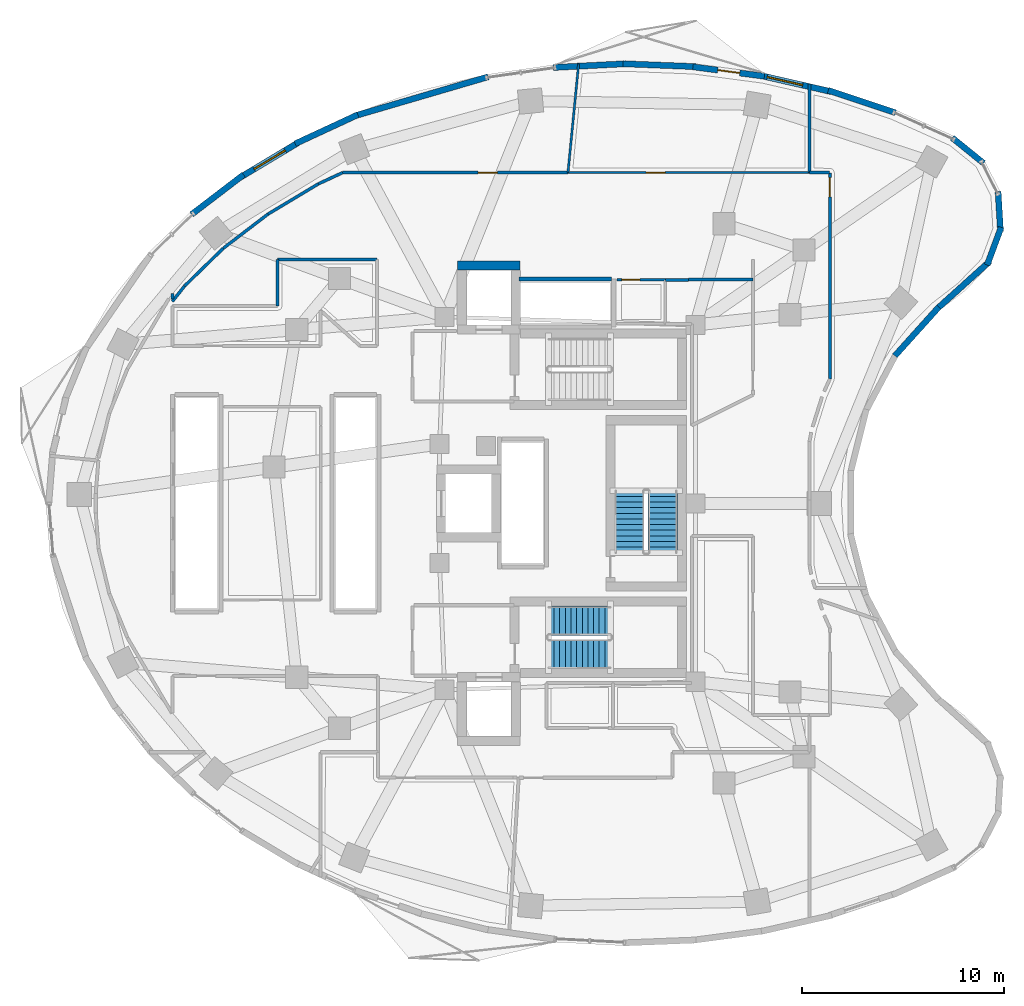
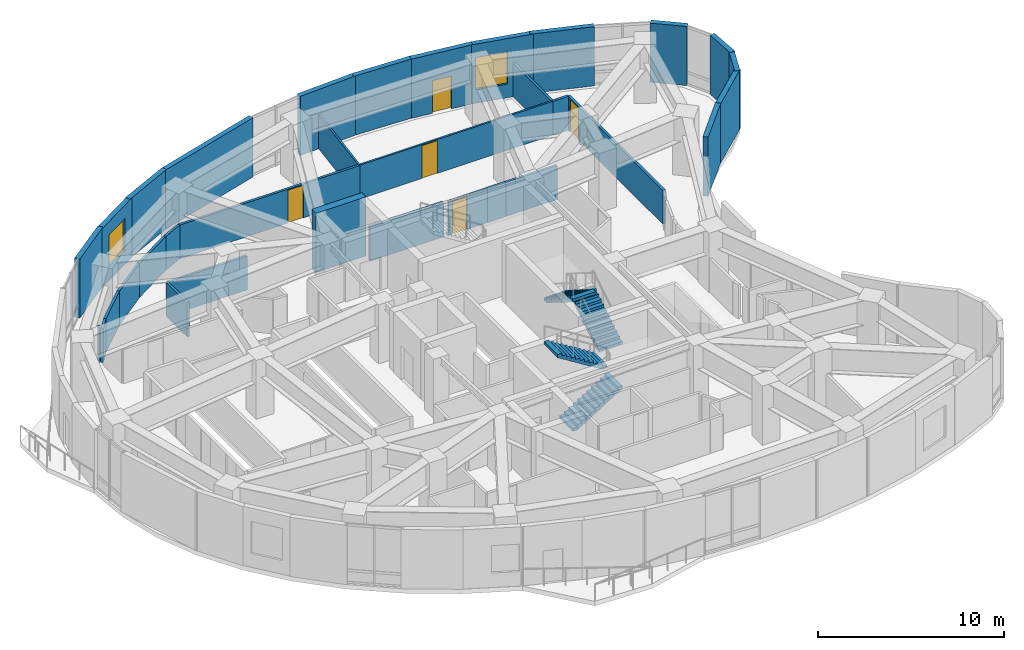
# One storey, part 9 of 13: 33 walls, 5 doors, 4 stair flights, 2 windows, 7 openings, 2 elements without a shape of their own.
"""IFC4 building model written with IfcOpenShell, lengths in metres."""

from ifc_helpers import new_model, si_unit, direction, frame, frame_2d, origin, place, context, subcontext, project, spatial, polyline, rectangle, outline, extrude, material, layer, layer_set, type_object, element, fill, aggregate, save


model = new_model("IFC4")

# Units and contexts
model_context = context("Model", 3, precision=1e-05, world=origin(), true_north=direction((0.0, 1.0)))
body_context = subcontext(model_context, "Body", "Model", "MODEL_VIEW")
ifc_project = project(units=[si_unit("LENGTHUNIT", "METRE"), si_unit("AREAUNIT", "SQUARE_METRE"), si_unit("VOLUMEUNIT", "CUBIC_METRE"), si_unit("PLANEANGLEUNIT", "RADIAN"), si_unit("MASSUNIT", "GRAM", prefix="KILO")], contexts=[model_context])

# Site, building, storey
site_placement = place(None, origin())
site = spatial("IfcSite", under=ifc_project, at=site_placement, CompositionType="ELEMENT")
building_placement = place(site_placement, origin())
building = spatial("IfcBuilding", under=site, at=building_placement, Name="Korentha Bioscience Tower", CompositionType="ELEMENT")
storey_placement = place(building_placement, frame((0.0, 0.0, 144.60009765625)))
storey = spatial("IfcBuildingStorey", under=building, at=storey_placement, Name="L33", CompositionType="ELEMENT", Elevation=144.60009765625)

# Wall, opening, door
ifc_material_1 = material(Name="Double-Stud Acoustic Gypsum", Category="gypsum")
ifc_layer_1 = layer(ifc_material_1, 0.14990234375, Name="Double-Stud Acoustic Gypsum")
ifc_layer_set_1 = layer_set([ifc_layer_1], Name="Double-Stud Acoustic Gypsum (IW-L150)")
wall_type_1 = type_object("IfcWallType", Name="Acoustic Laboratory Partition Wall 150", PredefinedType="PARTITIONING", material=ifc_layer_set_1)
wall_1_placement = place(storey_placement, frame((44.2099609375, 33.175048828125, 0.0), z_axis=(0.0, 0.0, 1.0), x_axis=(0.0, 1.0, 0.0)))
wall_1 = element("IfcWall", 1, at=wall_1_placement, inside=storey, type_object=wall_type_1, Name="L33 Barista Coffee & Tea Bar 07 Entrance Wall", PredefinedType="PARTITIONING", context=body_context, shape_type="SweptSolid", body=[
    extrude(rectangle(XDim=10.224853515625, YDim=0.14990234375, at=frame_2d((5.1123046875, 0.0))), origin(), (0.0, 0.0, 1.0), 2.219970703125),
])
opening_1_placement = place(wall_1_placement, frame((9.034912109375, 0.0, 0.0)))
opening_1 = element("IfcOpeningElement", 2, at=opening_1_placement, cuts=wall_1, Name="Opening ID-10R", PredefinedType="OPENING", context=body_context, shape_type="SweptSolid", body=[
    extrude(rectangle(XDim=0.949951171875, YDim=2.14990234375, at=frame_2d((0.47509765625, 1.074951171875))), frame((0.0, 0.08984375, 0.0), z_axis=(0.0, -1.0, 0.0), x_axis=(1.0, 0.0, 0.0)), (0.0, 0.0, 1.0), 0.1796875),
])
ifc_material_2 = material(Name="Phenolic Laminate Timber Core", Category="wood")
door_type_1 = type_object("IfcDoorType", Name="Laboratory Single Leaf Door 950x2150 Right", OperationType="SINGLE_SWING_RIGHT", PredefinedType="DOOR", material=ifc_material_2)
door_1_placement = place(opening_1_placement, origin())
door_1 = element("IfcDoor", 3, at=door_1_placement, inside=storey, type_object=door_type_1, Name="L33 Barista Coffee & Tea Bar 07 Door", OperationType="SINGLE_SWING_RIGHT", OverallHeight=2.14990234375, OverallWidth=0.949951171875, PredefinedType="DOOR", context=body_context, shape_type="SweptSolid", body=[
    extrude(rectangle(XDim=0.949951171875, YDim=2.14990234375, at=frame_2d((0.47509765625, 1.074951171875))), frame((0.0, 0.02490234375, 0.0), z_axis=(0.0, -1.0, 0.0), x_axis=(1.0, 0.0, 0.0)), (0.0, 0.0, 1.0), 0.050048828125),
])
fill(opening_1, door_1)

wall_2_placement = place(storey_placement, frame((31.208740234375, 43.409912109375, 0.0), z_axis=(0.0, 0.0, 1.0), x_axis=(-1.0, 0.0, 0.0)))
wall_2 = element("IfcWall", 4, at=wall_2_placement, inside=storey, type_object=wall_type_1, Name="L33 Wellness Quiet Meditation Room 10 Entrance Wall", PredefinedType="PARTITIONING", context=body_context, shape_type="SweptSolid", body=[
    extrude(rectangle(XDim=11.166259765625, YDim=0.14990234375, at=frame_2d((5.5830078125, 0.0))), origin(), (0.0, 0.0, 1.0), 2.219970703125),
])
opening_2_placement = place(wall_2_placement, frame((3.493896484375, 0.0, 0.0)))
opening_2 = element("IfcOpeningElement", 5, at=opening_2_placement, cuts=wall_2, Name="Opening ID-10L", PredefinedType="OPENING", context=body_context, shape_type="SweptSolid", body=[
    extrude(rectangle(XDim=0.949951171875, YDim=2.14990234375, at=frame_2d((0.47509765625, 1.074951171875))), frame((0.0, 0.08984375, 0.0), z_axis=(0.0, -1.0, 0.0), x_axis=(1.0, 0.0, 0.0)), (0.0, 0.0, 1.0), 0.1796875),
])
door_type_2 = type_object("IfcDoorType", Name="Laboratory Single Leaf Door 950x2150 Left", OperationType="SINGLE_SWING_LEFT", PredefinedType="DOOR", material=ifc_material_2)
door_2_placement = place(opening_2_placement, origin())
door_2 = element("IfcDoor", 6, at=door_2_placement, inside=storey, type_object=door_type_2, Name="L33 Wellness Quiet Meditation Room 10 Door", OperationType="SINGLE_SWING_LEFT", OverallHeight=2.14990234375, OverallWidth=0.949951171875, PredefinedType="DOOR", context=body_context, shape_type="SweptSolid", body=[
    extrude(rectangle(XDim=0.949951171875, YDim=2.14990234375, at=frame_2d((0.47509765625, 1.074951171875))), frame((0.0, 0.02490234375, 0.0), z_axis=(0.0, -1.0, 0.0), x_axis=(1.0, 0.0, 0.0)), (0.0, 0.0, 1.0), 0.050048828125),
])
fill(opening_2, door_2)

# Walls
wall_3_placement = place(storey_placement, frame((44.199951171875, 43.409912109375, 0.0), z_axis=(0.0, 0.0, 1.0), x_axis=(-1.0, 0.0, 0.0)))
element("IfcWall", 7, at=wall_3_placement, inside=storey, type_object=wall_type_1, Name="L33 Interior Partition 063", PredefinedType="PARTITIONING", context=body_context, shape_type="SweptSolid", body=[
    extrude(rectangle(XDim=0.998046875, YDim=0.14990234375, at=frame_2d((0.4990234375, 0.0))), origin(), (0.0, 0.0, 1.0), 2.219970703125),
])
wall_4_placement = place(storey_placement, frame((43.201904296875, 43.409912109375, 0.0), z_axis=(0.0, 0.0, 1.0), x_axis=(0.0, 1.0, 0.0)))
element("IfcWall", 8, at=wall_4_placement, inside=storey, type_object=wall_type_1, Name="L33 Interior Partition 064", PredefinedType="PARTITIONING", context=body_context, shape_type="SweptSolid", body=[
    extrude(rectangle(XDim=4.3984375, YDim=0.14990234375, at=frame_2d((2.19921875, 0.0))), origin(), (0.0, 0.0, 1.0), 2.219970703125),
])
wall_5_placement = place(storey_placement, frame((36.06005859375, 38.090087890625, 0.0), z_axis=(0.0, 0.0, 1.0), x_axis=(1.0, 0.0, 0.0)))
element("IfcWall", 9, at=wall_5_placement, inside=storey, type_object=wall_type_1, Name="L33 Interior Partition 071", PredefinedType="PARTITIONING", context=body_context, shape_type="SweptSolid", body=[
    extrude(rectangle(XDim=1.139892578125, YDim=0.14990234375, at=frame_2d((0.56982421875, 0.0))), origin(), (0.0, 0.0, 1.0), 2.219970703125),
])
wall_6_placement = place(storey_placement, frame((37.2099609375, 38.10009765625, 0.0), z_axis=(0.0, 0.0, 1.0), x_axis=(1.0, 0.0, 0.0)))
element("IfcWall", 10, at=wall_6_placement, inside=storey, type_object=wall_type_1, Name="L33 Interior Partition 073", PredefinedType="PARTITIONING", context=body_context, shape_type="SweptSolid", body=[
    extrude(rectangle(XDim=3.179931640625, YDim=0.14990234375, at=frame_2d((1.58984375, 0.0))), origin(), (0.0, 0.0, 1.0), 2.219970703125),
])
wall_7_placement = place(storey_placement, frame((20.038330078125, 43.4091796875, 0.0), z_axis=(0.0, 0.0, 1.0), x_axis=(-0.907124862852, -0.420861596248, 0.0)))
element("IfcWall", 11, at=wall_7_placement, inside=storey, type_object=wall_type_1, Name="L33 Interior Partition 076", PredefinedType="PARTITIONING", context=body_context, shape_type="SweptSolid", body=[
    extrude(rectangle(XDim=1.321533203125, YDim=0.14990234375, at=frame_2d((0.66064453125, 0.0))), origin(), (0.0, 0.0, 1.0), 2.219970703125),
])
wall_8_placement = place(storey_placement, frame((18.838623046875, 42.8525390625, 0.0), z_axis=(0.0, 0.0, 1.0), x_axis=(-0.857603806023, -0.514310909757, 0.0)))
element("IfcWall", 12, at=wall_8_placement, inside=storey, type_object=wall_type_1, Name="L33 Interior Partition 077", PredefinedType="PARTITIONING", context=body_context, shape_type="SweptSolid", body=[
    extrude(rectangle(XDim=2.91357421875, YDim=0.14990234375, at=frame_2d((1.456787109375, 0.0))), origin(), (0.0, 0.0, 1.0), 2.219970703125),
])
wall_9_placement = place(storey_placement, frame((16.3388671875, 41.353515625, 0.0), z_axis=(0.0, 0.0, 1.0), x_axis=(-0.794513779695, -0.607246122981, 0.0)))
element("IfcWall", 13, at=wall_9_placement, inside=storey, type_object=wall_type_1, Name="L33 Interior Partition 078", PredefinedType="PARTITIONING", context=body_context, shape_type="SweptSolid", body=[
    extrude(rectangle(XDim=2.799072265625, YDim=0.14990234375, at=frame_2d((1.3994140625, 0.0))), origin(), (0.0, 0.0, 1.0), 2.219970703125),
])
wall_10_placement = place(storey_placement, frame((14.1142578125, 39.65283203125, 0.0), z_axis=(0.0, 0.0, 1.0), x_axis=(-0.716161838398, -0.697934252794, 0.0)))
element("IfcWall", 14, at=wall_10_placement, inside=storey, type_object=wall_type_1, Name="L33 Interior Partition 079", PredefinedType="PARTITIONING", context=body_context, shape_type="SweptSolid", body=[
    extrude(rectangle(XDim=2.6787109375, YDim=0.14990234375, at=frame_2d((1.33935546875, 0.0))), origin(), (0.0, 0.0, 1.0), 2.219970703125),
])
wall_11_placement = place(storey_placement, frame((12.195068359375, 37.781982421875, 0.0), z_axis=(0.0, 0.0, 1.0), x_axis=(-0.621081637991, -0.783745876513, 0.0)))
element("IfcWall", 15, at=wall_11_placement, inside=storey, type_object=wall_type_1, Name="L33 Interior Partition 080", PredefinedType="PARTITIONING", context=body_context, shape_type="SweptSolid", body=[
    extrude(rectangle(XDim=0.97412109375, YDim=0.14990234375, at=frame_2d((0.487060546875, 0.0))), origin(), (0.0, 0.0, 1.0), 2.219970703125),
])
wall_12_placement = place(storey_placement, frame((11.590087890625, 37.14404296875, 0.0), z_axis=(0.0, 0.0, 1.0), x_axis=(0.0, 1.0, 0.0)))
element("IfcWall", 16, at=wall_12_placement, inside=storey, type_object=wall_type_1, Name="L33 Interior Partition 081", PredefinedType="PARTITIONING", context=body_context, shape_type="SweptSolid", body=[
    extrude(rectangle(XDim=0.263916015625, YDim=0.14990234375, at=frame_2d((0.1318359375, 0.0))), origin(), (0.0, 0.0, 1.0), 2.219970703125),
])
wall_13_placement = place(storey_placement, frame((16.81005859375, 36.800048828125, 0.0), z_axis=(0.0, 0.0, 1.0), x_axis=(0.0, 1.0, 0.0)))
element("IfcWall", 17, at=wall_13_placement, inside=storey, type_object=wall_type_1, Name="L33 Interior Partition 088", PredefinedType="PARTITIONING", context=body_context, shape_type="SweptSolid", body=[
    extrude(rectangle(XDim=2.2900390625, YDim=0.14990234375, at=frame_2d((1.14501953125, 0.0))), origin(), (0.0, 0.0, 1.0), 2.219970703125),
])
wall_14_placement = place(storey_placement, frame((16.81005859375, 39.090087890625, 0.0), z_axis=(0.0, 0.0, 1.0), x_axis=(1.0, 0.0, 0.0)))
element("IfcWall", 18, at=wall_14_placement, inside=storey, type_object=wall_type_1, Name="L33 Interior Partition 089", PredefinedType="PARTITIONING", context=body_context, shape_type="SweptSolid", body=[
    extrude(rectangle(XDim=4.929931640625, YDim=0.14990234375, at=frame_2d((2.46484375, 0.0))), origin(), (0.0, 0.0, 1.0), 2.219970703125),
])

# Wall, opening, door
ifc_material_3 = material(Name="Fire-Rated Framed Glass", Category="glass")
ifc_layer_2 = layer(ifc_material_3, 0.110107421875, Name="Fire-Rated Framed Glass")
ifc_layer_set_2 = layer_set([ifc_layer_2], Name="Fire-Rated Framed Glass (IW-G110)")
wall_type_2 = type_object("IfcWallType", Name="Demountable Glazed Office Partition 110", PredefinedType="MOVABLE", material=ifc_layer_set_2)
wall_15_placement = place(storey_placement, frame((43.19189453125, 43.409912109375, 0.0), z_axis=(0.0, 0.0, 1.0), x_axis=(-1.0, 0.0, 0.0)))
wall_15 = element("IfcWall", 19, at=wall_15_placement, inside=storey, type_object=wall_type_2, Name="L33 Interdisciplinary Collaboration Studio 09 Entrance Wall", PredefinedType="MOVABLE", context=body_context, shape_type="SweptSolid", body=[
    extrude(rectangle(XDim=11.97314453125, YDim=0.110107421875, at=frame_2d((5.986572265625, 0.0))), origin(), (0.0, 0.0, 1.0), 2.219970703125),
])
opening_3_placement = place(wall_15_placement, frame((7.149658203125, 0.0, 0.0)))
opening_3 = element("IfcOpeningElement", 20, at=opening_3_placement, cuts=wall_15, Name="Opening ID-10R", PredefinedType="OPENING", context=body_context, shape_type="SweptSolid", body=[
    extrude(rectangle(XDim=0.949951171875, YDim=2.14990234375, at=frame_2d((0.47509765625, 1.074951171875))), frame((0.0, 0.06982421875, 0.0), z_axis=(0.0, -1.0, 0.0), x_axis=(1.0, 0.0, 0.0)), (0.0, 0.0, 1.0), 0.139892578125),
])
door_3_placement = place(opening_3_placement, origin())
door_3 = element("IfcDoor", 21, at=door_3_placement, inside=storey, type_object=door_type_1, Name="L33 Interdisciplinary Collaboration Studio 09 Door", OperationType="SINGLE_SWING_RIGHT", OverallHeight=2.14990234375, OverallWidth=0.949951171875, PredefinedType="DOOR", context=body_context, shape_type="SweptSolid", body=[
    extrude(rectangle(XDim=0.949951171875, YDim=2.14990234375, at=frame_2d((0.47509765625, 1.074951171875))), frame((0.0, 0.02490234375, 0.0), z_axis=(0.0, -1.0, 0.0), x_axis=(1.0, 0.0, 0.0)), (0.0, 0.0, 1.0), 0.050048828125),
])
fill(opening_3, door_3)

# Wall
wall_16_placement = place(storey_placement, frame((31.21875, 43.409912109375, 0.0), z_axis=(0.0, 0.0, 1.0), x_axis=(0.097560057389, 0.995229639431, 0.0)))
element("IfcWall", 22, at=wall_16_placement, inside=storey, type_object=wall_type_2, Name="L33 Interior Partition 075", PredefinedType="MOVABLE", context=body_context, shape_type="SweptSolid", body=[
    extrude(rectangle(XDim=5.4228515625, YDim=0.110107421875, at=frame_2d((2.71142578125, 0.0))), origin(), (0.0, 0.0, 1.0), 2.219970703125),
])

# Wall, opening, window
ifc_material_4 = material(Name="Honed Limestone Precast Concrete C40", Category="masonry")
ifc_layer_3 = layer(ifc_material_4, 0.300048828125, Name="Honed Limestone Precast Concrete C40")
ifc_layer_set_3 = layer_set([ifc_layer_3], Name="Honed Limestone Precast Concrete C40 (EW-ST300)")
wall_type_3 = type_object("IfcWallType", Name="Honed Limestone Cavity Spandrel Wall 300", PredefinedType="STANDARD", material=ifc_layer_set_3)
wall_17_placement = place(storey_placement, frame((44.277587890625, 47.42578125, 0.0), z_axis=(0.0, 0.0, 1.0), x_axis=(-0.974836214244, 0.222922307989, 0.0)))
wall_17 = element("IfcWall", 23, at=wall_17_placement, inside=storey, type_object=wall_type_3, Name="L33 Honed Limestone Spandrel Wall 03", PredefinedType="STANDARD", context=body_context, shape_type="SweptSolid", body=[
    extrude(rectangle(XDim=3.53515625, YDim=0.300048828125, at=frame_2d((1.767578125, 0.0))), origin(), (0.0, 0.0, 1.0), 3.8798828125),
])
opening_4_placement = place(wall_17_placement, frame((1.454345703125, 0.0, 0.89990234375)))
opening_4 = element("IfcOpeningElement", 24, at=opening_4_placement, cuts=wall_17, Name="Opening WN-01", PredefinedType="OPENING", context=body_context, shape_type="SweptSolid", body=[
    extrude(rectangle(XDim=1.800048828125, YDim=2.10009765625, at=frame_2d((0.89990234375, 1.050048828125))), frame((0.0, 0.1650390625, 0.0), z_axis=(0.0, -1.0, 0.0), x_axis=(1.0, 0.0, 0.0)), (0.0, 0.0, 1.0), 0.329833984375),
])
ifc_material_5 = material(Name="Thermally Broken Aluminium Triple Glazing", Category="aluminium")
window_type = type_object("IfcWindowType", Name="Triple-Glazed Fixed Bioscience Window 1800x2100", PartitioningType="SINGLE_PANEL", PredefinedType="WINDOW", material=ifc_material_5)
window_1_placement = place(opening_4_placement, origin())
window_1 = element("IfcWindow", 25, at=window_1_placement, inside=storey, type_object=window_type, Name="L33 Facade Window 03", OverallHeight=2.10009765625, OverallWidth=1.800048828125, PartitioningType="SINGLE_PANEL", PredefinedType="WINDOW", context=body_context, shape_type="SweptSolid", body=[
    extrude(rectangle(XDim=1.800048828125, YDim=2.10009765625, at=frame_2d((0.89990234375, 1.050048828125))), frame((0.0, 0.030029296875, 0.0), z_axis=(0.0, -1.0, 0.0), x_axis=(1.0, 0.0, 0.0)), (0.0, 0.0, 1.0), 0.06005859375),
])
fill(opening_4, window_1)

# Wall, opening, door
wall_18_placement = place(storey_placement, frame((40.964111328125, 48.18994140625, 0.0), z_axis=(0.0, 0.0, 1.0), x_axis=(-0.991369257822, 0.131099178664, 0.0)))
wall_18 = element("IfcWall", 26, at=wall_18_placement, inside=storey, type_object=wall_type_3, Name="L33 Balcony Threshold Wall 01", PredefinedType="STANDARD", context=body_context, shape_type="SweptSolid", body=[
    extrude(rectangle(XDim=3.575439453125, YDim=0.300048828125, at=frame_2d((1.78759765625, 0.0))), origin(), (0.0, 0.0, 1.0), 3.8798828125),
])
opening_5_placement = place(wall_18_placement, frame((1.23779296875, 0.0, 0.0)))
opening_5 = element("IfcOpeningElement", 27, at=opening_5_placement, cuts=wall_18, Name="Opening BD-11L", PredefinedType="OPENING", context=body_context, shape_type="SweptSolid", body=[
    extrude(rectangle(XDim=1.10009765625, YDim=2.14990234375, at=frame_2d((0.550048828125, 1.074951171875))), frame((0.0, 0.1650390625, 0.0), z_axis=(0.0, -1.0, 0.0), x_axis=(1.0, 0.0, 0.0)), (0.0, 0.0, 1.0), 0.329833984375),
])
ifc_material_6 = material(Name="Thermally Broken Glazed Aluminium", Category="aluminium")
door_type_3 = type_object("IfcDoorType", Name="Balcony Terrace Glazed Door 1100x2150 Left", OperationType="SINGLE_SWING_LEFT", PredefinedType="DOOR", material=ifc_material_6)
door_4_placement = place(opening_5_placement, origin())
door_4 = element("IfcDoor", 28, at=door_4_placement, inside=storey, type_object=door_type_3, Name="L33 Balcony Access Door 01", OperationType="SINGLE_SWING_LEFT", OverallHeight=2.14990234375, OverallWidth=1.10009765625, PredefinedType="DOOR", context=body_context, shape_type="SweptSolid", body=[
    extrude(rectangle(XDim=1.10009765625, YDim=2.14990234375, at=frame_2d((0.550048828125, 1.074951171875))), frame((0.0, 0.02490234375, 0.0), z_axis=(0.0, -1.0, 0.0), x_axis=(1.0, 0.0, 0.0)), (0.0, 0.0, 1.0), 0.050048828125),
])
fill(opening_5, door_4)

# Wall, opening, window
wall_19_placement = place(storey_placement, frame((17.83349609375, 44.896728515625, 0.0), z_axis=(0.0, 0.0, 1.0), x_axis=(-0.85758429223, -0.514343447242, 0.0)))
wall_19 = element("IfcWall", 29, at=wall_19_placement, inside=storey, type_object=wall_type_3, Name="L33 Honed Limestone Spandrel Wall 11", PredefinedType="STANDARD", context=body_context, shape_type="SweptSolid", body=[
    extrude(rectangle(XDim=3.30029296875, YDim=0.300048828125, at=frame_2d((1.650146484375, 0.0))), origin(), (0.0, 0.0, 1.0), 3.8798828125),
])
opening_6_placement = place(wall_19_placement, frame((0.750244140625, 0.0, 0.89990234375)))
opening_6 = element("IfcOpeningElement", 30, at=opening_6_placement, cuts=wall_19, Name="Opening WN-01", PredefinedType="OPENING", context=body_context, shape_type="SweptSolid", body=[
    extrude(rectangle(XDim=1.800048828125, YDim=2.10009765625, at=frame_2d((0.89990234375, 1.050048828125))), frame((0.0, 0.1650390625, 0.0), z_axis=(0.0, -1.0, 0.0), x_axis=(1.0, 0.0, 0.0)), (0.0, 0.0, 1.0), 0.329833984375),
])
window_2_placement = place(opening_6_placement, origin())
window_2 = element("IfcWindow", 31, at=window_2_placement, inside=storey, type_object=window_type, Name="L33 Facade Window 11", OverallHeight=2.10009765625, OverallWidth=1.800048828125, PartitioningType="SINGLE_PANEL", PredefinedType="WINDOW", context=body_context, shape_type="SweptSolid", body=[
    extrude(rectangle(XDim=1.800048828125, YDim=2.10009765625, at=frame_2d((0.89990234375, 1.050048828125))), frame((0.0, 0.030029296875, 0.0), z_axis=(0.0, -1.0, 0.0), x_axis=(1.0, 0.0, 0.0)), (0.0, 0.0, 1.0), 0.06005859375),
])
fill(opening_6, window_2)

# Walls
wall_20_placement = place(storey_placement, frame((47.471435546875, 46.37841796875, 0.0), z_axis=(0.0, 0.0, 1.0), x_axis=(-0.948946814906, 0.315436114737, 0.0)))
element("IfcWall", 32, at=wall_20_placement, inside=storey, type_object=wall_type_3, Name="L33 Limestone Perimeter Closure Wall 02", PredefinedType="STANDARD", context=body_context, shape_type="SweptSolid", body=[
    extrude(rectangle(XDim=3.51611328125, YDim=0.300048828125, at=frame_2d((1.758056640625, 0.0))), origin(), (0.0, 0.0, 1.0), 3.8798828125),
])
wall_21_placement = place(storey_placement, frame((37.574462890625, 48.666259765625, 0.0), z_axis=(0.0, 0.0, 1.0), x_axis=(-0.999212076676, 0.039689114679, 0.0)))
element("IfcWall", 33, at=wall_21_placement, inside=storey, type_object=wall_type_3, Name="L33 Limestone Perimeter Closure Wall 05", PredefinedType="STANDARD", context=body_context, shape_type="SweptSolid", body=[
    extrude(rectangle(XDim=3.635498046875, YDim=0.300048828125, at=frame_2d((1.81787109375, 0.0))), origin(), (0.0, 0.0, 1.0), 3.8798828125),
])
wall_22_placement = place(storey_placement, frame((34.114501953125, 48.8115234375, 0.0), z_axis=(0.0, 0.0, 1.0), x_axis=(-0.998674767218, -0.051465613004, 0.0)))
element("IfcWall", 34, at=wall_22_placement, inside=storey, type_object=wall_type_3, Name="L33 Limestone Perimeter Closure Wall 06", PredefinedType="STANDARD", context=body_context, shape_type="SweptSolid", body=[
    extrude(rectangle(XDim=3.6337890625, YDim=0.300048828125, at=frame_2d((1.81689453125, 0.0))), origin(), (0.0, 0.0, 1.0), 3.8798828125),
])
wall_23_placement = place(storey_placement, frame((27.258544921875, 48.163330078125, 0.0), z_axis=(0.0, 0.0, 1.0), x_axis=(-0.959706958999, -0.281002763064, 0.0)))
element("IfcWall", 35, at=wall_23_placement, inside=storey, type_object=wall_type_3, Name="L33 Limestone Perimeter Closure Wall 08", PredefinedType="STANDARD", context=body_context, shape_type="SweptSolid", body=[
    extrude(rectangle(XDim=6.907958984375, YDim=0.300048828125, at=frame_2d((3.4541015625, 0.0))), origin(), (0.0, 0.0, 1.0), 3.8798828125),
])
wall_24_placement = place(storey_placement, frame((20.7978515625, 46.28564453125, 0.0), z_axis=(0.0, 0.0, 1.0), x_axis=(-0.907166186263, -0.420772516333, 0.0)))
element("IfcWall", 36, at=wall_24_placement, inside=storey, type_object=wall_type_3, Name="L33 Limestone Perimeter Closure Wall 10", PredefinedType="STANDARD", context=body_context, shape_type="SweptSolid", body=[
    extrude(rectangle(XDim=3.43017578125, YDim=0.300048828125, at=frame_2d((1.715087890625, 0.0))), origin(), (0.0, 0.0, 1.0), 3.8798828125),
])
wall_25_placement = place(storey_placement, frame((15.120849609375, 43.3046875, 0.0), z_axis=(0.0, 0.0, 1.0), x_axis=(-0.794500987227, -0.607262860132, 0.0)))
element("IfcWall", 37, at=wall_25_placement, inside=storey, type_object=wall_type_3, Name="L33 Limestone Perimeter Closure Wall 12", PredefinedType="STANDARD", context=body_context, shape_type="SweptSolid", body=[
    extrude(rectangle(XDim=3.242919921875, YDim=0.300048828125, at=frame_2d((1.62158203125, 0.0))), origin(), (0.0, 0.0, 1.0), 3.8798828125),
])
wall_26_placement = place(storey_placement, frame((47.437255859375, 34.319091796875, 0.0), z_axis=(0.0, 0.0, 1.0), x_axis=(0.669167727967, 0.743111399353, 0.0)))
element("IfcWall", 38, at=wall_26_placement, inside=storey, type_object=wall_type_3, Name="L33 Limestone Perimeter Closure Wall 55", PredefinedType="STANDARD", context=body_context, shape_type="SweptSolid", body=[
    extrude(rectangle(XDim=3.25537109375, YDim=0.300048828125, at=frame_2d((1.627685546875, 0.0))), origin(), (0.0, 0.0, 1.0), 3.8798828125),
])
wall_27_placement = place(storey_placement, frame((49.51318359375, 36.6357421875, 0.0), z_axis=(0.0, 0.0, 1.0), x_axis=(0.74255963233, 0.669779958221, 0.0)))
element("IfcWall", 39, at=wall_27_placement, inside=storey, type_object=wall_type_3, Name="L33 Limestone Perimeter Closure Wall 57", PredefinedType="STANDARD", context=body_context, shape_type="SweptSolid", body=[
    extrude(rectangle(XDim=3.5390625, YDim=0.300048828125, at=frame_2d((1.76953125, 0.0))), origin(), (0.0, 0.0, 1.0), 3.8798828125),
])
wall_28_placement = place(storey_placement, frame((52.016357421875, 38.822265625, 0.0), z_axis=(0.0, 0.0, 1.0), x_axis=(0.347370087337, 0.937728117539, 0.0)))
element("IfcWall", 40, at=wall_28_placement, inside=storey, type_object=wall_type_3, Name="L33 Limestone Perimeter Closure Wall 59", PredefinedType="STANDARD", context=body_context, shape_type="SweptSolid", body=[
    extrude(rectangle(XDim=1.997314453125, YDim=0.300048828125, at=frame_2d((0.99853515625, 0.0))), origin(), (0.0, 0.0, 1.0), 3.8798828125),
])
for number, where, z_axis, x_axis, name in (
    (41, (52.678955078125, 40.4833984375, 0.0), (0.0, 0.0, 1.0), (-0.060255200356, 0.998183004679, 0.0), "L33 Limestone Perimeter Closure Wall 60"),
    (42, (51.83642578125, 43.880615234375, 0.0), (0.0, 0.0, 1.0), (-0.777338789647, 0.629082193445, 0.0), "L33 Limestone Perimeter Closure Wall 62"),
):
    element("IfcWall", number, at=place(storey_placement, frame(where, z_axis=z_axis, x_axis=x_axis)), inside=storey, type_object=wall_type_3, Name=name, PredefinedType="STANDARD", context=body_context, shape_type="SweptSolid", body=[
        extrude(rectangle(XDim=1.99755859375, YDim=0.300048828125, at=frame_2d((0.998779296875, 0.0))), origin(), (0.0, 0.0, 1.0), 3.8798828125),
    ])
ifc_material_7 = material(Name="Autoclaved Aerated Concrete Block C25", Category="concrete")
ifc_layer_4 = layer(ifc_material_7, 0.199951171875, Name="Autoclaved Aerated Concrete Block C25")
ifc_layer_set_4 = layer_set([ifc_layer_4], Name="Autoclaved Aerated Concrete Block C25 (IW-S200)")
wall_type_4 = type_object("IfcWallType", Name="Lift and Riser Shaft Enclosure Wall 200", PredefinedType="PARTITIONING", material=ifc_layer_set_4)
wall_29_placement = place(storey_placement, frame((28.800048828125, 38.139892578125, 0.0), z_axis=(0.0, 0.0, 1.0), x_axis=(1.0, 0.0, 0.0)))
element("IfcWall", 43, at=wall_29_placement, inside=storey, type_object=wall_type_4, Name="L33 Lift Bank OBS Shaft Wall +Y", PredefinedType="PARTITIONING", context=body_context, shape_type="SweptSolid", body=[
    extrude(rectangle(XDim=4.570068359375, YDim=0.199951171875, at=frame_2d((2.28515625, 0.0))), origin(), (0.0, 0.0, 1.0), 2.219970703125),
])
ifc_material_8 = material(Name="Concrete C80", Category="concrete")
ifc_layer_5 = layer(ifc_material_8, 0.449951171875, Name="Concrete C80")
ifc_layer_set_5 = layer_set([ifc_layer_5], Name="Concrete C80 (CW-C80)")
wall_type_5 = type_object("IfcWallType", Name="Lower Core Shear Wall 450", PredefinedType="SHEAR", material=ifc_layer_set_5)
wall_30_placement = place(storey_placement, frame((25.75, 38.800048828125, 0.0), z_axis=(0.0, 0.0, 1.0), x_axis=(1.0, 0.0, 0.0)))
element("IfcWall", 44, at=wall_30_placement, inside=storey, type_object=wall_type_5, Name="L33 Core Shear Wall FFL2-N", PredefinedType="SHEAR", context=body_context, shape_type="SweptSolid", body=[
    extrude(rectangle(XDim=3.10009765625, YDim=0.449951171875, at=frame_2d((1.550048828125, 0.0))), origin(), (0.0, 0.0, 1.0), 3.8798828125),
])

# Wall, opening, door
ifc_material_9 = material(Name="Cement-Board Steel Stud", Category="steel")
ifc_layer_6 = layer(ifc_material_9, 0.1298828125, Name="Cement-Board Steel Stud")
ifc_layer_set_6 = layer_set([ifc_layer_6], Name="Cement-Board Steel Stud (IW-W130)")
wall_type_6 = type_object("IfcWallType", Name="Wet-Area Moisture-Resistant Partition 130", PredefinedType="PARTITIONING", material=ifc_layer_set_6)
wall_31_placement = place(storey_placement, frame((33.64990234375, 38.090087890625, 0.0), z_axis=(0.0, 0.0, 1.0), x_axis=(1.0, 0.0, 0.0)))
wall_31 = element("IfcWall", 45, at=wall_31_placement, inside=storey, type_object=wall_type_6, Name="L33 Accessible Staff WC Entrance Wall", PredefinedType="PARTITIONING", context=body_context, shape_type="SweptSolid", body=[
    extrude(rectangle(XDim=2.400146484375, YDim=0.1298828125, at=frame_2d((1.2001953125, 0.0))), origin(), (0.0, 0.0, 1.0), 2.219970703125),
])
opening_7_placement = place(wall_31_placement, frame((0.239990234375, 0.0, 0.0)))
opening_7 = element("IfcOpeningElement", 46, at=opening_7_placement, cuts=wall_31, Name="Opening ID-09L", PredefinedType="OPENING", context=body_context, shape_type="SweptSolid", body=[
    extrude(rectangle(XDim=0.89990234375, YDim=2.14990234375, at=frame_2d((0.449951171875, 1.074951171875))), frame((0.0, 0.079833984375, 0.0), z_axis=(0.0, -1.0, 0.0), x_axis=(1.0, 0.0, 0.0)), (0.0, 0.0, 1.0), 0.15966796875),
])
ifc_material_10 = material(Name="Moisture-Resistant HPL Leaf", Category="wood")
door_type_4 = type_object("IfcDoorType", Name="Restroom & Accessible WC Door 900x2150 Left", OperationType="SINGLE_SWING_LEFT", PredefinedType="DOOR", material=ifc_material_10)
door_5_placement = place(opening_7_placement, origin())
door_5 = element("IfcDoor", 47, at=door_5_placement, inside=storey, type_object=door_type_4, Name="L33 Accessible Staff WC Door", OperationType="SINGLE_SWING_LEFT", OverallHeight=2.14990234375, OverallWidth=0.89990234375, PredefinedType="DOOR", context=body_context, shape_type="SweptSolid", body=[
    extrude(rectangle(XDim=0.89990234375, YDim=2.14990234375, at=frame_2d((0.449951171875, 1.074951171875))), frame((0.0, 0.02490234375, 0.0), z_axis=(0.0, -1.0, 0.0), x_axis=(1.0, 0.0, 0.0)), (0.0, 0.0, 1.0), 0.050048828125),
])
fill(opening_7, door_5)

# Stair, stair flights
ifc_material_11 = material(Name="Precast Concrete C50", Category="concrete")
stair_type = type_object("IfcStairType", Name="Core Exit Dog-Leg Stair 1450", PredefinedType="HALF_TURN_STAIR", material=ifc_material_11)
stair_1_placement = place(storey_placement, origin())
stair_1 = element("IfcStair", 48, at=stair_1_placement, inside=storey, type_object=stair_type, Name="L33 Tower South Pressurized Exit Stair ST-2", PredefinedType="HALF_TURN_STAIR")
stair_flight_type = type_object("IfcStairFlightType", Name="Core Exit Dog-Leg Stair 1450 Flight", PredefinedType="STRAIGHT", material=ifc_material_11)
stair_flight_1_placement = place(storey_placement, frame((30.25, 19.52490234375, 0.0), z_axis=(0.0, 0.0, 1.0), x_axis=(1.0, 0.0, 0.0)))
stair_flight_1 = element("IfcStairFlight", 49, at=stair_flight_1_placement, type_object=stair_flight_type, Name="ST-2 flight 1", NumberOfRisers=12, NumberOfTreads=11, PredefinedType="STRAIGHT", RiserHeight=0.175, TreadLength=0.28, context=body_context, shape_type="SweptSolid", body=[
    extrude(outline(polyline([(0.0, 0.0), (0.0, 0.175048828125), (0.280029296875, 0.175048828125), (0.280029296875, 0.35009765625), (0.56005859375, 0.35009765625), (0.56005859375, 0.52490234375), (0.840087890625, 0.52490234375), (0.840087890625, 0.699951171875), (1.1201171875, 0.699951171875), (1.1201171875, 0.875), (1.39990234375, 0.875), (1.39990234375, 1.050048828125), (1.679931640625, 1.050048828125), (1.679931640625, 1.22509765625), (1.9599609375, 1.22509765625), (1.9599609375, 1.39990234375), (2.239990234375, 1.39990234375), (2.239990234375, 1.574951171875), (2.52001953125, 1.574951171875), (2.52001953125, 1.75), (2.800048828125, 1.75), (2.800048828125, 1.925048828125), (3.080078125, 1.925048828125), (3.080078125, 2.10009765625), (3.080078125, 1.736328125), (0.3017578125, 0.0), (0.0, 0.0)])), frame((0.0, 0.72509765625, 0.0), z_axis=(0.0, -1.0, 0.0), x_axis=(1.0, 0.0, 0.0)), (0.0, 0.0, 1.0), 1.449951171875),
])
stair_flight_2_placement = place(storey_placement, frame((33.330078125, 21.175048828125, 2.099853515625), z_axis=(0.0, 0.0, 1.0), x_axis=(-1.0, 0.0, 0.0)))
stair_flight_2 = element("IfcStairFlight", 50, at=stair_flight_2_placement, type_object=stair_flight_type, Name="ST-2 flight 2", NumberOfRisers=12, NumberOfTreads=11, PredefinedType="STRAIGHT", RiserHeight=0.175, TreadLength=0.28, context=body_context, shape_type="SweptSolid", body=[
    extrude(outline(polyline([(0.0, 0.0), (0.0, 0.175048828125), (0.280029296875, 0.175048828125), (0.280029296875, 0.35009765625), (0.56005859375, 0.35009765625), (0.56005859375, 0.52490234375), (0.840087890625, 0.52490234375), (0.840087890625, 0.699951171875), (1.1201171875, 0.699951171875), (1.1201171875, 0.875), (1.39990234375, 0.875), (1.39990234375, 1.050048828125), (1.679931640625, 1.050048828125), (1.679931640625, 1.22509765625), (1.9599609375, 1.22509765625), (1.9599609375, 1.39990234375), (2.239990234375, 1.39990234375), (2.239990234375, 1.574951171875), (2.52001953125, 1.574951171875), (2.52001953125, 1.75), (2.800048828125, 1.75), (2.800048828125, 1.925048828125), (3.080078125, 1.925048828125), (3.080078125, 2.10009765625), (3.080078125, 1.736328125), (0.3017578125, 0.0), (0.0, 0.0)])), frame((0.0, 0.72509765625, 0.0), z_axis=(0.0, -1.0, 0.0), x_axis=(1.0, 0.0, 0.0)), (0.0, 0.0, 1.0), 1.449951171875),
])
aggregate(stair_1, [stair_flight_1, stair_flight_2])

stair_2_placement = place(storey_placement, origin())
stair_2 = element("IfcStair", 51, at=stair_2_placement, inside=storey, type_object=stair_type, Name="L33 Tower Central Pressurized Exit Stair ST-3", PredefinedType="HALF_TURN_STAIR")
stair_flight_3_placement = place(storey_placement, frame((35.925048828125, 24.550048828125, 0.0), z_axis=(0.0, 0.0, 1.0), x_axis=(0.0, 1.0, 0.0)))
stair_flight_3 = element("IfcStairFlight", 52, at=stair_flight_3_placement, type_object=stair_flight_type, Name="ST-3 flight 1", NumberOfRisers=12, NumberOfTreads=11, PredefinedType="STRAIGHT", RiserHeight=0.175, TreadLength=0.28, context=body_context, shape_type="SweptSolid", body=[
    extrude(outline(polyline([(0.0, 0.0), (0.0, 0.175048828125), (0.280029296875, 0.175048828125), (0.280029296875, 0.35009765625), (0.56005859375, 0.35009765625), (0.56005859375, 0.52490234375), (0.840087890625, 0.52490234375), (0.840087890625, 0.699951171875), (1.1201171875, 0.699951171875), (1.1201171875, 0.875), (1.39990234375, 0.875), (1.39990234375, 1.050048828125), (1.679931640625, 1.050048828125), (1.679931640625, 1.22509765625), (1.9599609375, 1.22509765625), (1.9599609375, 1.39990234375), (2.239990234375, 1.39990234375), (2.239990234375, 1.574951171875), (2.52001953125, 1.574951171875), (2.52001953125, 1.75), (2.800048828125, 1.75), (2.800048828125, 1.925048828125), (3.080078125, 1.925048828125), (3.080078125, 2.10009765625), (3.080078125, 1.736328125), (0.3017578125, 0.0), (0.0, 0.0)])), frame((0.0, 0.72509765625, 0.0), z_axis=(0.0, -1.0, 0.0), x_axis=(1.0, 0.0, 0.0)), (0.0, 0.0, 1.0), 1.449951171875),
])
stair_flight_4_placement = place(storey_placement, frame((34.27490234375, 27.6298828125, 2.099853515625), z_axis=(0.0, 0.0, 1.0), x_axis=(0.0, -1.0, 0.0)))
stair_flight_4 = element("IfcStairFlight", 53, at=stair_flight_4_placement, type_object=stair_flight_type, Name="ST-3 flight 2", NumberOfRisers=12, NumberOfTreads=11, PredefinedType="STRAIGHT", RiserHeight=0.175, TreadLength=0.28, context=body_context, shape_type="SweptSolid", body=[
    extrude(outline(polyline([(0.0, 0.0), (0.0, 0.175048828125), (0.280029296875, 0.175048828125), (0.280029296875, 0.35009765625), (0.56005859375, 0.35009765625), (0.56005859375, 0.52490234375), (0.840087890625, 0.52490234375), (0.840087890625, 0.699951171875), (1.1201171875, 0.699951171875), (1.1201171875, 0.875), (1.39990234375, 0.875), (1.39990234375, 1.050048828125), (1.679931640625, 1.050048828125), (1.679931640625, 1.22509765625), (1.9599609375, 1.22509765625), (1.9599609375, 1.39990234375), (2.239990234375, 1.39990234375), (2.239990234375, 1.574951171875), (2.52001953125, 1.574951171875), (2.52001953125, 1.75), (2.800048828125, 1.75), (2.800048828125, 1.925048828125), (3.080078125, 1.925048828125), (3.080078125, 2.10009765625), (3.080078125, 1.736328125), (0.3017578125, 0.0), (0.0, 0.0)])), frame((0.0, 0.72509765625, 0.0), z_axis=(0.0, -1.0, 0.0), x_axis=(1.0, 0.0, 0.0)), (0.0, 0.0, 1.0), 1.449951171875),
])
aggregate(stair_2, [stair_flight_3, stair_flight_4])

save(model, "model.ifc")
